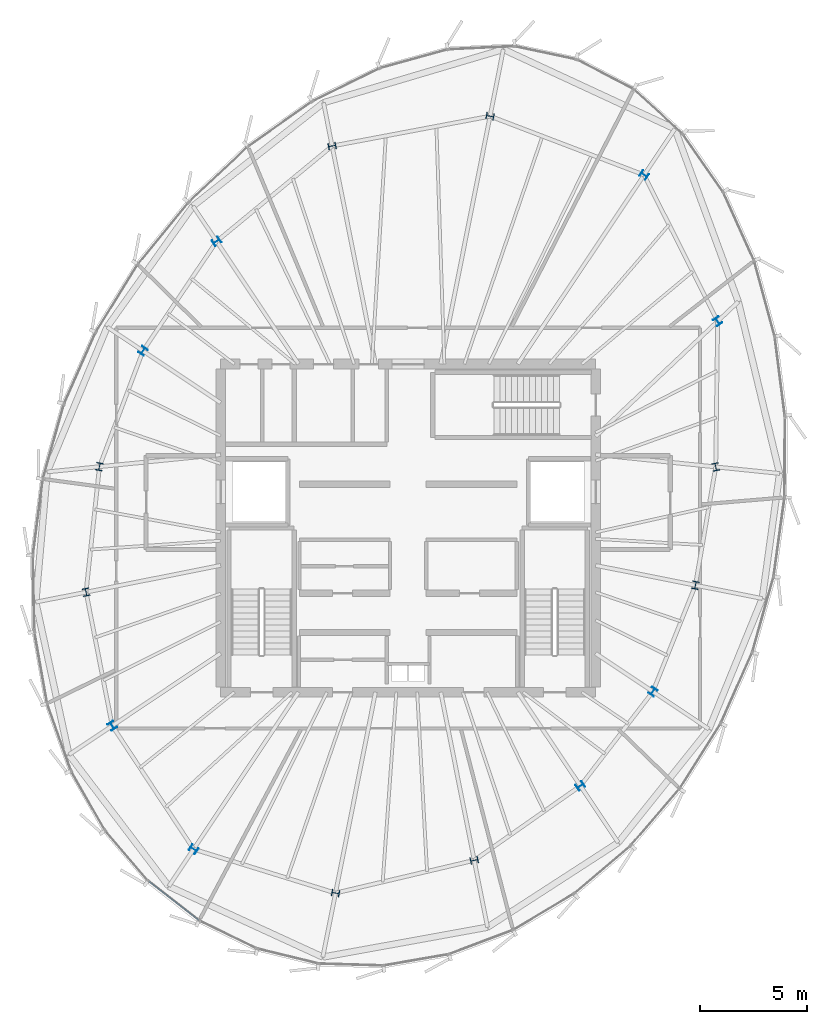
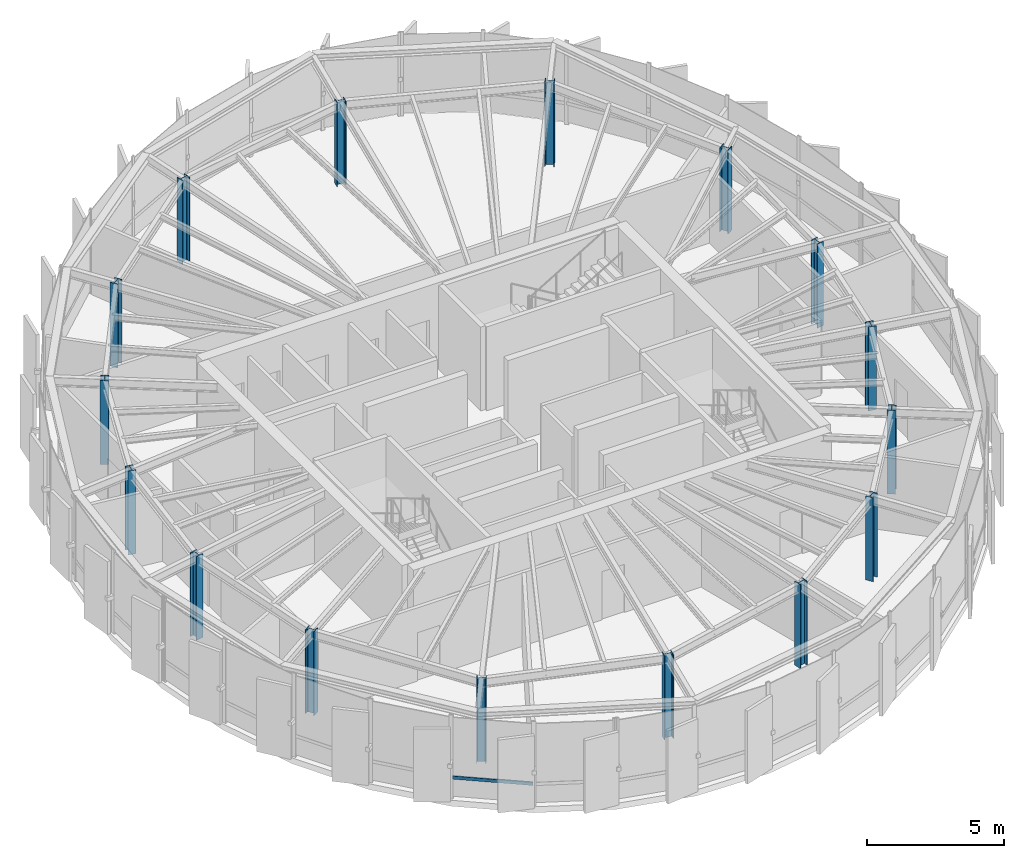
# One storey, part 1 of 26: 16 columns, 1 member, 1 element without a shape of its own.
"""IFC4 building model written with IfcOpenShell, lengths in metres."""

from ifc_helpers import new_model, si_unit, direction, frame, origin, origin_2d, place, context, subcontext, project, spatial, hollow_rectangle, i_section, extrude, source, transform, mapped, material, layer, layer_set, material_profile, profile_set, type_object, element, aggregate, save


model = new_model("IFC4")

# Units and contexts
model_context = context("Model", 3, precision=1e-05, world=origin(), true_north=direction((0.0, 1.0)))
body_context = subcontext(model_context, "Body", "Model", "MODEL_VIEW")
ifc_project = project(units=[si_unit("LENGTHUNIT", "METRE"), si_unit("AREAUNIT", "SQUARE_METRE"), si_unit("VOLUMEUNIT", "CUBIC_METRE"), si_unit("PLANEANGLEUNIT", "RADIAN"), si_unit("MASSUNIT", "GRAM", prefix="KILO"), si_unit("THERMODYNAMICTEMPERATUREUNIT", "KELVIN")], contexts=[model_context])

# Site, building, storey
site_placement = place(None, origin())
site = spatial("IfcSite", under=ifc_project, at=site_placement, CompositionType="ELEMENT")
building_placement = place(site_placement, origin())
building = spatial("IfcBuilding", under=site, at=building_placement, Name="Kethvar Cultural Tower", CompositionType="ELEMENT")
storey_placement = place(building_placement, frame((0.0, 0.0, 316.300048828125)))
storey = spatial("IfcBuildingStorey", under=building, at=storey_placement, Name="L84", CompositionType="ELEMENT", Elevation=316.300048828125)

# Columns
ifc_material_1 = material(Name="Steel S355J2", Category="steel")
ifc_material_profile_1 = material_profile(ifc_material_1, i_section(OverallWidth=0.30908203125, OverallDepth=0.35888671875, WebThickness=0.01611328125, FlangeThickness=0.02587890625, FilletRadius=0.027099609375, at=origin_2d()), Name="Steel S355J2 — HD320x245")
ifc_profile_set_1 = profile_set([ifc_material_profile_1], Name="Steel S355J2 — HD320x245")
column_type = type_object("IfcColumnType", Name="COL-HD245", PredefinedType="COLUMN", material=ifc_profile_set_1)
shared_shape_1 = source(origin(), body_context, "Body", "SweptSolid", [
    extrude(i_section(OverallWidth=0.30908203125, OverallDepth=0.35888671875, WebThickness=0.01611328125, FlangeThickness=0.02587890625, FilletRadius=0.027099609375, at=origin_2d()), origin(), (0.0, 0.0, 1.0), 3.73486328125),
])
for number, where, z_axis, x_axis, name in (
    (1, (61.237060546875, 30.671630859375, 0.0), (0.0, 0.0, 1.0), (0.980785280403, 0.195090322016, 0.0), "L84 Mega-Column MC-01"),
    (2, (61.32568359375, 37.505859375, 0.0), (0.0, 0.0, 1.0), (0.831469612303, 0.55557023302, 0.0), "L84 Mega-Column MC-02"),
    (3, (57.875244140625, 44.375, 0.0), (0.0, 0.0, 1.0), (0.55557023302, 0.831469612303, 0.0), "L84 Mega-Column MC-03"),
    (4, (50.645263671875, 47.131591796875, 0.0), (0.0, 0.0, 1.0), (0.195090322016, 0.980785280403, 0.0), "L84 Mega-Column MC-04"),
    (5, (43.23291015625, 45.732421875, 0.0), (0.0, 0.0, 1.0), (-0.195090322016, 0.980785280403, 0.0), "L84 Mega-Column MC-05"),
    (6, (37.8095703125, 41.255126953125, 0.0), (0.0, 0.0, 1.0), (-0.55557023302, 0.831469612303, 0.0), "L84 Mega-Column MC-06"),
    (7, (34.35595703125, 36.114990234375, 0.0), (0.0, 0.0, 1.0), (-0.831469612303, 0.55557023302, 0.0), "L84 Mega-Column MC-07"),
    (8, (32.3125, 30.681884765625, 0.0), (0.0, 0.0, 1.0), (-0.980785280403, 0.195090322016, 0.0), "L84 Mega-Column MC-08"),
    (9, (31.68310546875, 24.79296875, 0.0), (0.0, 0.0, 1.0), (-0.980785280403, -0.195090322016, 0.0), "L84 Mega-Column MC-09"),
    (10, (32.912841796875, 18.52099609375, 0.0), (0.0, 0.0, 1.0), (-0.831469612303, -0.55557023302, 0.0), "L84 Mega-Column MC-10"),
    (11, (36.731201171875, 12.73095703125, 0.0), (0.0, 0.0, 1.0), (-0.55557023302, -0.831469612303, 0.0), "L84 Mega-Column MC-11"),
    (12, (43.392822265625, 10.67138671875, 0.0), (0.0, 0.0, 1.0), (-0.195090322016, -0.980785280403, 0.0), "L84 Mega-Column MC-12"),
    (13, (49.901611328125, 12.206787109375, 0.0), (0.0, 0.0, 1.0), (0.195090322016, -0.980785280403, 0.0), "L84 Mega-Column MC-13"),
    (14, (54.885009765625, 15.7001953125, 0.0), (0.0, 0.0, 1.0), (0.55557023302, -0.831469612303, 0.0), "L84 Mega-Column MC-14"),
    (15, (58.287109375, 20.12451171875, 0.0), (0.0, 0.0, 1.0), (0.831469612303, -0.55557023302, 0.0), "L84 Mega-Column MC-15"),
    (16, (60.28369140625, 25.117919921875, 0.0), (0.0, 0.0, 1.0), (0.980785280403, -0.195090322016, 0.0), "L84 Mega-Column MC-16"),
):
    element("IfcColumn", number, at=place(storey_placement, frame(where, z_axis=z_axis, x_axis=x_axis)), inside=storey, type_object=column_type, Name=name, PredefinedType="COLUMN", context=body_context, shape_type="MappedRepresentation", body=[
        mapped(shared_shape_1, transform((0.0, 0.0, 0.0), scale=1.0)),
    ])

# Curtain wall, member
ifc_material_2 = material(Name="Aluminium 6063-T6", Category="aluminium")
ifc_layer = layer(ifc_material_2, 0.179931640625, Name="Aluminium 6063-T6", Category="aluminium")
ifc_layer_set = layer_set([ifc_layer], Name="Aluminium 6063-T6 (180 mm)")
curtain_wall_type = type_object("IfcCurtainWallType", Name="CW-SYS-06-CROWN", PredefinedType="NOTDEFINED", material=ifc_layer_set)
curtain_wall_placement = place(storey_placement, origin())
curtain_wall = element("IfcCurtainWall", 17, at=curtain_wall_placement, inside=storey, type_object=curtain_wall_type, Name="L84 Curtain Wall Run 03", PredefinedType="NOTDEFINED")
ifc_material_profile_2 = material_profile(ifc_material_2, hollow_rectangle(XDim=0.06005859375, YDim=0.139892578125, WallThickness=0.0048828125, at=origin_2d()), Name="Aluminium 6063-T6 — RHS140x60x5")
ifc_profile_set_2 = profile_set([ifc_material_profile_2], Name="Aluminium 6063-T6 — RHS140x60x5")
member_type = type_object("IfcMemberType", Name="CW-SYS-06-CROWN-TRN", PredefinedType="USERDEFINED", material=ifc_profile_set_2)
shared_shape_2 = source(origin(), body_context, "Body", "SweptSolid", [
    extrude(hollow_rectangle(XDim=0.06005859375, YDim=0.139892578125, WallThickness=0.0048828125, at=origin_2d()), origin(), (0.0, 0.0, 1.0), 2.969482421875),
])
member_placement = place(storey_placement, frame((34.631591796875, 11.219482421875, 0.949951171875), z_axis=(0.78911752543, -0.614242241351, 0.0), x_axis=(0.614242241351, 0.78911752543, 0.0)))
member = element("IfcMember", 18, at=member_placement, type_object=member_type, Name="CW-L84-R03 Transom 5", ObjectType="TRANSOM", PredefinedType="USERDEFINED", context=body_context, shape_type="MappedRepresentation", body=[
    mapped(shared_shape_2, transform((0.0, 0.0, 0.0), scale=1.0)),
])
aggregate(curtain_wall, [member])

save(model, "model.ifc")
